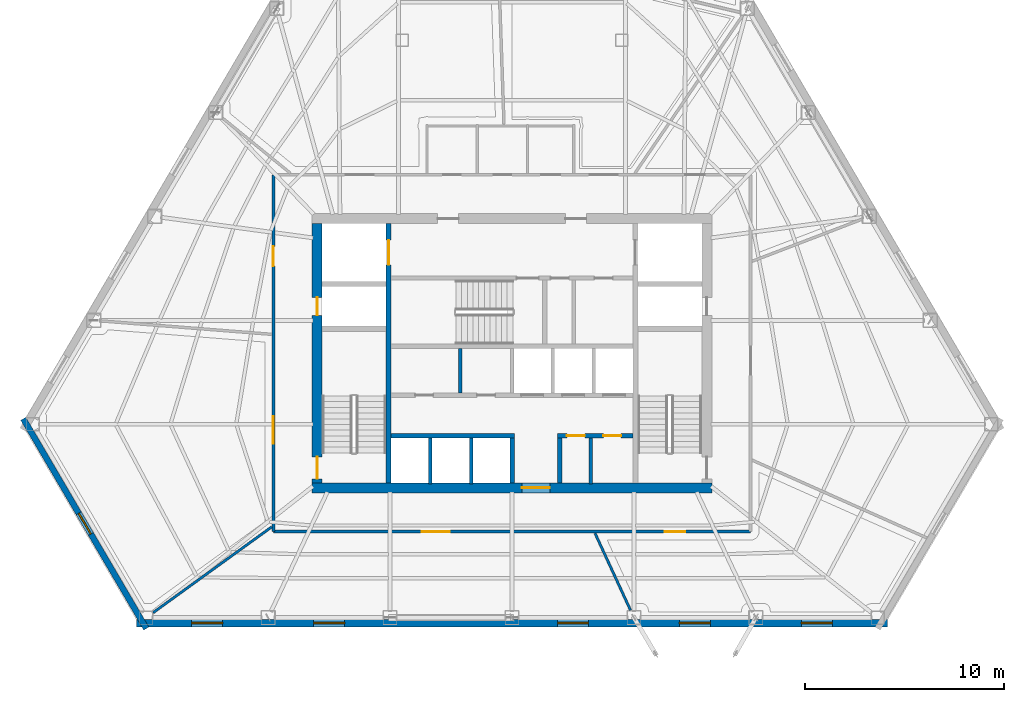
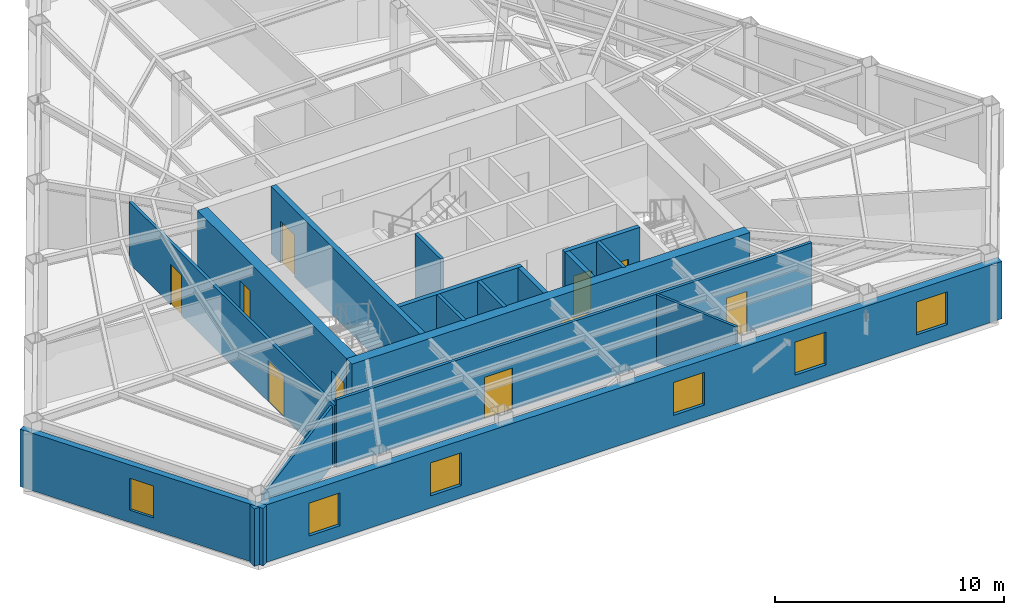
# One storey, part 8 of 13: 17 walls, 10 doors, 6 windows, 16 openings.
"""IFC4 building model written with IfcOpenShell, lengths in metres."""

from ifc_helpers import new_model, si_unit, direction, frame, frame_2d, origin, place, context, subcontext, project, spatial, rectangle, extrude, material, layer, layer_set, type_object, element, fill, save


model = new_model("IFC4")

# Units and contexts
model_context = context("Model", 3, precision=1e-05, world=origin(), true_north=direction((0.0, 1.0)))
body_context = subcontext(model_context, "Body", "Model", "MODEL_VIEW")
ifc_project = project(units=[si_unit("LENGTHUNIT", "METRE"), si_unit("AREAUNIT", "SQUARE_METRE"), si_unit("VOLUMEUNIT", "CUBIC_METRE"), si_unit("PLANEANGLEUNIT", "RADIAN"), si_unit("MASSUNIT", "GRAM", prefix="KILO")], contexts=[model_context])

# Site, building, storey
site_placement = place(None, origin())
site = spatial("IfcSite", under=ifc_project, at=site_placement, CompositionType="ELEMENT")
building_placement = place(site_placement, origin())
building = spatial("IfcBuilding", under=site, at=building_placement, Name="Kavelnor Concourse Tower", CompositionType="ELEMENT")
storey_placement = place(building_placement, frame((0.0, 0.0, 131.699951171875)))
storey = spatial("IfcBuildingStorey", under=building, at=storey_placement, Name="L33", CompositionType="ELEMENT", Elevation=131.699951171875)

# Wall, opening, door
ifc_material_1 = material(Name="Concrete C60/75", Category="concrete")
ifc_layer_1 = layer(ifc_material_1, 0.5, Name="Concrete C60/75")
ifc_layer_set_1 = layer_set([ifc_layer_1], Name="Concrete C60/75")
wall_type_1 = type_object("IfcWallType", Name="WL-CORE-Z2-500", PredefinedType="SOLIDWALL", material=ifc_layer_set_1)
wall_1_placement = place(storey_placement, frame((27.97998046875, 9.35009765625, 0.0), z_axis=(0.0, 0.0, 1.0), x_axis=(1.0, 0.0, 0.0)))
wall_1 = element("IfcWall", 1, at=wall_1_placement, inside=storey, type_object=wall_type_1, Name="L33 Central Core South Shear Wall", PredefinedType="SOLIDWALL", context=body_context, shape_type="SweptSolid", body=[
    extrude(rectangle(XDim=20.0400390625, YDim=0.5, at=frame_2d((10.02001953125, 0.0))), origin(), (0.0, 0.0, 1.0), 3.60009765625),
])
opening_1_placement = place(wall_1_placement, frame((10.52001953125, 0.0, 0.0)))
opening_1 = element("IfcOpeningElement", 2, at=opening_1_placement, cuts=wall_1, Name="Opening SD-140", PredefinedType="OPENING", context=body_context, shape_type="SweptSolid", body=[
    extrude(rectangle(XDim=1.39990234375, YDim=2.199951171875, at=frame_2d((0.699951171875, 1.10009765625))), frame((0.0, 0.260009765625, 0.0), z_axis=(0.0, -1.0, 0.0), x_axis=(1.0, 0.0, 0.0)), (0.0, 0.0, 1.0), 0.52001953125),
])
ifc_material_2 = material(Name="Solid-core hardwood timber", Category="wood")
door_type_1 = type_object("IfcDoorType", Name="DR-SUITE-ENTRY-1400", OperationType="NOTDEFINED", PredefinedType="DOOR", material=ifc_material_2)
door_1_placement = place(opening_1_placement, origin())
door_1 = element("IfcDoor", 3, at=door_1_placement, inside=storey, type_object=door_type_1, Name="L33 Passenger Lift Lobby Entry Door", OperationType="SINGLE_SWING_RIGHT", OverallHeight=2.199951171875, OverallWidth=1.39990234375, PredefinedType="DOOR", context=body_context, shape_type="SweptSolid", body=[
    extrude(rectangle(XDim=1.39990234375, YDim=2.199951171875, at=frame_2d((0.699951171875, 1.10009765625))), frame((0.0, 0.02490234375, 0.0), z_axis=(0.0, -1.0, 0.0), x_axis=(1.0, 0.0, 0.0)), (0.0, 0.0, 1.0), 0.050048828125),
])
fill(opening_1, door_1)

# Wall, openings, doors
wall_2_placement = place(storey_placement, frame((28.22998046875, 9.60009765625, 0.0), z_axis=(0.0, 0.0, 1.0), x_axis=(0.0, 1.0, 0.0)))
wall_2 = element("IfcWall", 4, at=wall_2_placement, inside=storey, type_object=wall_type_1, Name="L33 Central Core West Shear Wall", PredefinedType="SOLIDWALL", context=body_context, shape_type="SweptSolid", body=[
    extrude(rectangle(XDim=13.0, YDim=0.5, at=frame_2d((6.5, 0.0))), origin(), (0.0, 0.0, 1.0), 3.60009765625),
])
opening_2_placement = place(wall_2_placement, frame((0.199951171875, 0.0, 0.0)))
opening_2 = element("IfcOpeningElement", 5, at=opening_2_placement, cuts=wall_2, Name="Opening FD-110", PredefinedType="OPENING", context=body_context, shape_type="SweptSolid", body=[
    extrude(rectangle(XDim=1.10009765625, YDim=2.14990234375, at=frame_2d((0.550048828125, 1.074951171875))), frame((0.0, 0.260009765625, 0.0), z_axis=(0.0, -1.0, 0.0), x_axis=(1.0, 0.0, 0.0)), (0.0, 0.0, 1.0), 0.52001953125),
])
opening_3_placement = place(wall_2_placement, frame((8.39990234375, 0.0, 0.0)))
opening_3 = element("IfcOpeningElement", 6, at=opening_3_placement, cuts=wall_2, Name="Opening FD-090", PredefinedType="OPENING", context=body_context, shape_type="SweptSolid", body=[
    extrude(rectangle(XDim=0.89990234375, YDim=2.10009765625, at=frame_2d((0.449951171875, 1.050048828125))), frame((0.0, 0.260009765625, 0.0), z_axis=(0.0, -1.0, 0.0), x_axis=(1.0, 0.0, 0.0)), (0.0, 0.0, 1.0), 0.52001953125),
])
ifc_material_3 = material(Name="Steel Grade 350", Category="steel")
door_type_2 = type_object("IfcDoorType", Name="DR-RISER-FIRE-900", OperationType="NOTDEFINED", PredefinedType="DOOR", material=ifc_material_3)
door_2_placement = place(opening_3_placement, origin())
door_2 = element("IfcDoor", 7, at=door_2_placement, inside=storey, type_object=door_type_2, Name="L33 West Riser Access Door", OperationType="SINGLE_SWING_RIGHT", OverallHeight=2.10009765625, OverallWidth=0.89990234375, PredefinedType="DOOR", context=body_context, shape_type="SweptSolid", body=[
    extrude(rectangle(XDim=0.89990234375, YDim=2.10009765625, at=frame_2d((0.449951171875, 1.050048828125))), frame((0.0, 0.02490234375, 0.0), z_axis=(0.0, -1.0, 0.0), x_axis=(1.0, 0.0, 0.0)), (0.0, 0.0, 1.0), 0.050048828125),
])
fill(opening_3, door_2)
door_type_3 = type_object("IfcDoorType", Name="DR-STAIR-FIRE-1100", OperationType="NOTDEFINED", PredefinedType="DOOR", material=ifc_material_3)
door_3_placement = place(opening_2_placement, origin())
door_3 = element("IfcDoor", 8, at=door_3_placement, inside=storey, type_object=door_type_3, Name="L33 Stair ST1 Fire Door", OperationType="SINGLE_SWING_LEFT", OverallHeight=2.14990234375, OverallWidth=1.10009765625, PredefinedType="DOOR", context=body_context, shape_type="SweptSolid", body=[
    extrude(rectangle(XDim=1.10009765625, YDim=2.14990234375, at=frame_2d((0.550048828125, 1.074951171875))), frame((0.0, 0.02490234375, 0.0), z_axis=(0.0, -1.0, 0.0), x_axis=(1.0, 0.0, 0.0)), (0.0, 0.0, 1.0), 0.050048828125),
])
fill(opening_2, door_3)

# Wall, opening, window
ifc_material_4 = material(Name="Buff ironspot clay face brick masonry", Category="masonry")
ifc_layer_2 = layer(ifc_material_4, 0.300048828125, Name="Buff ironspot clay face brick masonry")
ifc_layer_set_2 = layer_set([ifc_layer_2], Name="Buff ironspot clay face brick masonry")
wall_type_2 = type_object("IfcWallType", Name="WL-EXT-BUFF-BRICK-FOLD-300", PredefinedType="STANDARD", material=ifc_layer_set_2)
wall_3_placement = place(storey_placement, frame((19.65625, 2.28759765625, 0.0), z_axis=(0.0, 0.0, 1.0), x_axis=(-0.505835558362, 0.862629925227, 0.0)))
wall_3 = element("IfcWall", 9, at=wall_3_placement, inside=storey, type_object=wall_type_2, Name="L33 Exterior Brick Facade Wall E2", PredefinedType="STANDARD", context=body_context, shape_type="SweptSolid", body=[
    extrude(rectangle(XDim=12.200439453125, YDim=0.300048828125, at=frame_2d((6.10009765625, 0.0))), origin(), (0.0, 0.0, 1.0), 3.05908203125),
])
opening_4_placement = place(wall_3_placement, frame((5.500244140625, 0.0, 0.64990234375)))
opening_4 = element("IfcOpeningElement", 10, at=opening_4_placement, cuts=wall_3, Name="Opening W-05", PredefinedType="OPENING", context=body_context, shape_type="SweptSolid", body=[
    extrude(rectangle(XDim=1.199951171875, YDim=1.699951171875, at=frame_2d((0.60009765625, 0.85009765625))), frame((0.0, 0.16015625, 0.0), z_axis=(0.0, -1.0, 0.0), x_axis=(1.0, 0.0, 0.0)), (0.0, 0.0, 1.0), 0.320068359375),
])
ifc_material_5 = material(Name="Double low-E argon insulated glazing", Category="glass")
window_type_1 = type_object("IfcWindowType", Name="WIN-FOLD-1200", PartitioningType="SINGLE_PANEL", PredefinedType="WINDOW", material=ifc_material_5)
window_1_placement = place(opening_4_placement, origin())
window_1 = element("IfcWindow", 11, at=window_1_placement, inside=storey, type_object=window_type_1, Name="L33 Chamfer-Fold Facet Window C1", OverallHeight=1.699951171875, OverallWidth=1.199951171875, PartitioningType="SINGLE_PANEL", PredefinedType="WINDOW", context=body_context, shape_type="SweptSolid", body=[
    extrude(rectangle(XDim=1.199951171875, YDim=1.699951171875, at=frame_2d((0.60009765625, 0.85009765625))), frame((0.0, 0.030029296875, 0.0), z_axis=(0.0, -1.0, 0.0), x_axis=(1.0, 0.0, 0.0)), (0.0, 0.0, 1.0), 0.06005859375),
])
fill(opening_4, window_1)

# Wall, openings, windows
ifc_material_6 = material(Name="Red-ochre clay face brick masonry", Category="masonry")
ifc_layer_3 = layer(ifc_material_6, 0.3798828125, Name="Red-ochre clay face brick masonry")
ifc_layer_set_3 = layer_set([ifc_layer_3], Name="Red-ochre clay face brick masonry")
wall_type_3 = type_object("IfcWallType", Name="WL-EXT-RED-BRICK-PIER-380", PredefinedType="STANDARD", material=ifc_layer_set_3)
wall_4_placement = place(storey_placement, frame((56.826171875, 2.563720703125, 0.0), z_axis=(0.0, 0.0, 1.0), x_axis=(-1.0, 0.0, 0.0)))
wall_4 = element("IfcWall", 12, at=wall_4_placement, inside=storey, type_object=wall_type_3, Name="L33 Exterior Brick Facade Wall E3", PredefinedType="STANDARD", context=body_context, shape_type="SweptSolid", body=[
    extrude(rectangle(XDim=37.65234375, YDim=0.3798828125, at=frame_2d((18.826171875, 0.0))), origin(), (0.0, 0.0, 1.0), 3.05908203125),
])
opening_5_placement = place(wall_4_placement, frame((33.34375, 0.0, 0.64990234375)))
opening_5 = element("IfcOpeningElement", 13, at=opening_5_placement, cuts=wall_4, Name="Opening W-02", PredefinedType="OPENING", context=body_context, shape_type="SweptSolid", body=[
    extrude(rectangle(XDim=1.550048828125, YDim=1.75, at=frame_2d((0.77490234375, 0.875))), frame((0.0, 0.199951171875, 0.0), z_axis=(0.0, -1.0, 0.0), x_axis=(1.0, 0.0, 0.0)), (0.0, 0.0, 1.0), 0.39990234375),
])
opening_6_placement = place(wall_4_placement, frame((27.2265625, 0.0, 0.64990234375)))
opening_6 = element("IfcOpeningElement", 14, at=opening_6_placement, cuts=wall_4, Name="Opening W-02", PredefinedType="OPENING", context=body_context, shape_type="SweptSolid", body=[
    extrude(rectangle(XDim=1.550048828125, YDim=1.75, at=frame_2d((0.77490234375, 0.875))), frame((0.0, 0.199951171875, 0.0), z_axis=(0.0, -1.0, 0.0), x_axis=(1.0, 0.0, 0.0)), (0.0, 0.0, 1.0), 0.39990234375),
])
opening_7_placement = place(wall_4_placement, frame((14.99267578125, 0.0, 0.64990234375)))
opening_7 = element("IfcOpeningElement", 15, at=opening_7_placement, cuts=wall_4, Name="Opening W-02", PredefinedType="OPENING", context=body_context, shape_type="SweptSolid", body=[
    extrude(rectangle(XDim=1.550048828125, YDim=1.75, at=frame_2d((0.77490234375, 0.875))), frame((0.0, 0.199951171875, 0.0), z_axis=(0.0, -1.0, 0.0), x_axis=(1.0, 0.0, 0.0)), (0.0, 0.0, 1.0), 0.39990234375),
])
opening_8_placement = place(wall_4_placement, frame((8.87548828125, 0.0, 0.64990234375)))
opening_8 = element("IfcOpeningElement", 16, at=opening_8_placement, cuts=wall_4, Name="Opening W-02", PredefinedType="OPENING", context=body_context, shape_type="SweptSolid", body=[
    extrude(rectangle(XDim=1.550048828125, YDim=1.75, at=frame_2d((0.77490234375, 0.875))), frame((0.0, 0.199951171875, 0.0), z_axis=(0.0, -1.0, 0.0), x_axis=(1.0, 0.0, 0.0)), (0.0, 0.0, 1.0), 0.39990234375),
])
opening_9_placement = place(wall_4_placement, frame((2.758544921875, 0.0, 0.64990234375)))
opening_9 = element("IfcOpeningElement", 17, at=opening_9_placement, cuts=wall_4, Name="Opening W-02", PredefinedType="OPENING", context=body_context, shape_type="SweptSolid", body=[
    extrude(rectangle(XDim=1.550048828125, YDim=1.75, at=frame_2d((0.77490234375, 0.875))), frame((0.0, 0.199951171875, 0.0), z_axis=(0.0, -1.0, 0.0), x_axis=(1.0, 0.0, 0.0)), (0.0, 0.0, 1.0), 0.39990234375),
])
window_type_2 = type_object("IfcWindowType", Name="WIN-PIER-Z2-1650", PartitioningType="SINGLE_PANEL", PredefinedType="WINDOW", material=ifc_material_5)
window_2_placement = place(opening_5_placement, origin())
window_2 = element("IfcWindow", 18, at=window_2_placement, inside=storey, type_object=window_type_2, Name="L33 Deep-Set Brick Pier Window F1-B0", OverallHeight=1.75, OverallWidth=1.550048828125, PartitioningType="SINGLE_PANEL", PredefinedType="WINDOW", context=body_context, shape_type="SweptSolid", body=[
    extrude(rectangle(XDim=1.550048828125, YDim=1.75, at=frame_2d((0.77490234375, 0.875))), frame((0.0, 0.030029296875, 0.0), z_axis=(0.0, -1.0, 0.0), x_axis=(1.0, 0.0, 0.0)), (0.0, 0.0, 1.0), 0.06005859375),
])
fill(opening_5, window_2)
window_3_placement = place(opening_6_placement, origin())
window_3 = element("IfcWindow", 19, at=window_3_placement, inside=storey, type_object=window_type_2, Name="L33 Deep-Set Brick Pier Window F1-B1", OverallHeight=1.75, OverallWidth=1.550048828125, PartitioningType="SINGLE_PANEL", PredefinedType="WINDOW", context=body_context, shape_type="SweptSolid", body=[
    extrude(rectangle(XDim=1.550048828125, YDim=1.75, at=frame_2d((0.77490234375, 0.875))), frame((0.0, 0.030029296875, 0.0), z_axis=(0.0, -1.0, 0.0), x_axis=(1.0, 0.0, 0.0)), (0.0, 0.0, 1.0), 0.06005859375),
])
fill(opening_6, window_3)
window_4_placement = place(opening_7_placement, origin())
window_4 = element("IfcWindow", 20, at=window_4_placement, inside=storey, type_object=window_type_2, Name="L33 Deep-Set Brick Pier Window F1-B3", OverallHeight=1.75, OverallWidth=1.550048828125, PartitioningType="SINGLE_PANEL", PredefinedType="WINDOW", context=body_context, shape_type="SweptSolid", body=[
    extrude(rectangle(XDim=1.550048828125, YDim=1.75, at=frame_2d((0.77490234375, 0.875))), frame((0.0, 0.030029296875, 0.0), z_axis=(0.0, -1.0, 0.0), x_axis=(1.0, 0.0, 0.0)), (0.0, 0.0, 1.0), 0.06005859375),
])
fill(opening_7, window_4)
window_5_placement = place(opening_8_placement, origin())
window_5 = element("IfcWindow", 21, at=window_5_placement, inside=storey, type_object=window_type_2, Name="L33 Deep-Set Brick Pier Window F1-B4", OverallHeight=1.75, OverallWidth=1.550048828125, PartitioningType="SINGLE_PANEL", PredefinedType="WINDOW", context=body_context, shape_type="SweptSolid", body=[
    extrude(rectangle(XDim=1.550048828125, YDim=1.75, at=frame_2d((0.77490234375, 0.875))), frame((0.0, 0.030029296875, 0.0), z_axis=(0.0, -1.0, 0.0), x_axis=(1.0, 0.0, 0.0)), (0.0, 0.0, 1.0), 0.06005859375),
])
fill(opening_8, window_5)
window_6_placement = place(opening_9_placement, origin())
window_6 = element("IfcWindow", 22, at=window_6_placement, inside=storey, type_object=window_type_2, Name="L33 Deep-Set Brick Pier Window F1-B5", OverallHeight=1.75, OverallWidth=1.550048828125, PartitioningType="SINGLE_PANEL", PredefinedType="WINDOW", context=body_context, shape_type="SweptSolid", body=[
    extrude(rectangle(XDim=1.550048828125, YDim=1.75, at=frame_2d((0.77490234375, 0.875))), frame((0.0, 0.030029296875, 0.0), z_axis=(0.0, -1.0, 0.0), x_axis=(1.0, 0.0, 0.0)), (0.0, 0.0, 1.0), 0.06005859375),
])
fill(opening_9, window_6)

# Wall, openings, doors
ifc_material_7 = material(Name="Gypsum plasterboard on light-gauge steel studs", Category="steel")
ifc_layer_4 = layer(ifc_material_7, 0.14501953125, Name="Gypsum plasterboard on light-gauge steel studs")
ifc_layer_set_4 = layer_set([ifc_layer_4], Name="Gypsum plasterboard on light-gauge steel studs")
wall_type_4 = type_object("IfcWallType", Name="WL-INT-CORR-145", PredefinedType="PARTITIONING", material=ifc_layer_set_4)
wall_5_placement = place(storey_placement, frame((26.030029296875, 25.050048828125, 0.0), z_axis=(0.0, 0.0, 1.0), x_axis=(0.0, -1.0, 0.0)))
wall_5 = element("IfcWall", 23, at=wall_5_placement, inside=storey, type_object=wall_type_4, Name="L33 Corridor Wall WL-L33-CR-03", PredefinedType="PARTITIONING", context=body_context, shape_type="SweptSolid", body=[
    extrude(rectangle(XDim=17.900146484375, YDim=0.14501953125, at=frame_2d((8.9501953125, 0.0))), origin(), (0.0, 0.0, 1.0), 3.2880859375),
])
opening_10_placement = place(wall_5_placement, frame((3.597412109375, 0.0, 0.0)))
opening_10 = element("IfcOpeningElement", 24, at=opening_10_placement, cuts=wall_5, Name="Opening OD-098", PredefinedType="OPENING", context=body_context, shape_type="SweptSolid", body=[
    extrude(rectangle(XDim=0.97998046875, YDim=2.14990234375, at=frame_2d((0.489990234375, 1.074951171875))), frame((0.0, 0.08251953125, 0.0), z_axis=(0.0, -1.0, 0.0), x_axis=(1.0, 0.0, 0.0)), (0.0, 0.0, 1.0), 0.1650390625),
])
opening_11_placement = place(wall_5_placement, frame((12.102783203125, 0.0, 0.0)))
opening_11 = element("IfcOpeningElement", 25, at=opening_11_placement, cuts=wall_5, Name="Opening SD-140", PredefinedType="OPENING", context=body_context, shape_type="SweptSolid", body=[
    extrude(rectangle(XDim=1.39990234375, YDim=2.199951171875, at=frame_2d((0.699951171875, 1.10009765625))), frame((0.0, 0.08251953125, 0.0), z_axis=(0.0, -1.0, 0.0), x_axis=(1.0, 0.0, 0.0)), (0.0, 0.0, 1.0), 0.1650390625),
])
door_type_4 = type_object("IfcDoorType", Name="DR-OFFICE-980", OperationType="NOTDEFINED", PredefinedType="DOOR", material=ifc_material_2)
door_4_placement = place(opening_10_placement, origin())
door_4 = element("IfcDoor", 26, at=door_4_placement, inside=storey, type_object=door_type_4, Name="L33 Executive Servery Pantry 05 Door", OperationType="SINGLE_SWING_LEFT", OverallHeight=2.14990234375, OverallWidth=0.97998046875, PredefinedType="DOOR", context=body_context, shape_type="SweptSolid", body=[
    extrude(rectangle(XDim=0.97998046875, YDim=2.14990234375, at=frame_2d((0.489990234375, 1.074951171875))), frame((0.0, 0.02490234375, 0.0), z_axis=(0.0, -1.0, 0.0), x_axis=(1.0, 0.0, 0.0)), (0.0, 0.0, 1.0), 0.050048828125),
])
fill(opening_10, door_4)
door_5_placement = place(opening_11_placement, origin())
door_5 = element("IfcDoor", 27, at=door_5_placement, inside=storey, type_object=door_type_1, Name="L33 Executive Dining Room 06 Door", OperationType="SINGLE_SWING_RIGHT", OverallHeight=2.199951171875, OverallWidth=1.39990234375, PredefinedType="DOOR", context=body_context, shape_type="SweptSolid", body=[
    extrude(rectangle(XDim=1.39990234375, YDim=2.199951171875, at=frame_2d((0.699951171875, 1.10009765625))), frame((0.0, 0.02490234375, 0.0), z_axis=(0.0, -1.0, 0.0), x_axis=(1.0, 0.0, 0.0)), (0.0, 0.0, 1.0), 0.050048828125),
])
fill(opening_11, door_5)

wall_6_placement = place(storey_placement, frame((26.030029296875, 7.14990234375, 0.0), z_axis=(0.0, 0.0, 1.0), x_axis=(1.0, 0.0, 0.0)))
wall_6 = element("IfcWall", 28, at=wall_6_placement, inside=storey, type_object=wall_type_4, Name="L33 Corridor Wall WL-L33-CR-04", PredefinedType="PARTITIONING", context=body_context, shape_type="SweptSolid", body=[
    extrude(rectangle(XDim=23.93994140625, YDim=0.14501953125, at=frame_2d((11.969970703125, 0.0))), origin(), (0.0, 0.0, 1.0), 3.60009765625),
])
opening_12_placement = place(wall_6_placement, frame((7.451904296875, 0.0, 0.0)))
opening_12 = element("IfcOpeningElement", 29, at=opening_12_placement, cuts=wall_6, Name="Opening SD-140", PredefinedType="OPENING", context=body_context, shape_type="SweptSolid", body=[
    extrude(rectangle(XDim=1.39990234375, YDim=2.199951171875, at=frame_2d((0.699951171875, 1.10009765625))), frame((0.0, 0.08251953125, 0.0), z_axis=(0.0, -1.0, 0.0), x_axis=(1.0, 0.0, 0.0)), (0.0, 0.0, 1.0), 0.1650390625),
])
opening_13_placement = place(wall_6_placement, frame((19.641845703125, 0.0, 0.0)))
opening_13 = element("IfcOpeningElement", 30, at=opening_13_placement, cuts=wall_6, Name="Opening MD-102", PredefinedType="OPENING", context=body_context, shape_type="SweptSolid", body=[
    extrude(rectangle(XDim=1.02001953125, YDim=2.14990234375, at=frame_2d((0.510009765625, 1.074951171875))), frame((0.0, 0.08251953125, 0.0), z_axis=(0.0, -1.0, 0.0), x_axis=(1.0, 0.0, 0.0)), (0.0, 0.0, 1.0), 0.1650390625),
])
ifc_material_8 = material(Name="Acoustic glazed timber frame", Category="wood")
door_type_5 = type_object("IfcDoorType", Name="DR-MEETING-1020", OperationType="NOTDEFINED", PredefinedType="DOOR", material=ifc_material_8)
door_6_placement = place(opening_13_placement, origin())
door_6 = element("IfcDoor", 31, at=door_6_placement, inside=storey, type_object=door_type_5, Name="L33 Client Boardroom 08 Door", OperationType="SINGLE_SWING_RIGHT", OverallHeight=2.14990234375, OverallWidth=1.02001953125, PredefinedType="DOOR", context=body_context, shape_type="SweptSolid", body=[
    extrude(rectangle(XDim=1.02001953125, YDim=2.14990234375, at=frame_2d((0.510009765625, 1.074951171875))), frame((0.0, 0.02490234375, 0.0), z_axis=(0.0, -1.0, 0.0), x_axis=(1.0, 0.0, 0.0)), (0.0, 0.0, 1.0), 0.050048828125),
])
fill(opening_13, door_6)
door_7_placement = place(opening_12_placement, origin())
door_7 = element("IfcDoor", 32, at=door_7_placement, inside=storey, type_object=door_type_1, Name="L33 Workplace Open Office 07 Door", OperationType="SINGLE_SWING_LEFT", OverallHeight=2.199951171875, OverallWidth=1.39990234375, PredefinedType="DOOR", context=body_context, shape_type="SweptSolid", body=[
    extrude(rectangle(XDim=1.39990234375, YDim=2.199951171875, at=frame_2d((0.699951171875, 1.10009765625))), frame((0.0, 0.02490234375, 0.0), z_axis=(0.0, -1.0, 0.0), x_axis=(1.0, 0.0, 0.0)), (0.0, 0.0, 1.0), 0.050048828125),
])
fill(opening_12, door_7)

# Walls
ifc_layer_5 = layer(ifc_material_7, 0.1650390625, Name="Gypsum plasterboard on light-gauge steel studs")
ifc_layer_set_5 = layer_set([ifc_layer_5], Name="Gypsum plasterboard on light-gauge steel studs")
wall_type_5 = type_object("IfcWallType", Name="WL-INT-FIRE-165", PredefinedType="PARTITIONING", material=ifc_layer_set_5)
for number, where, z_axis, x_axis, name in (
    (33, (33.89990234375, 9.550048828125, 0.0), (0.0, 0.0, 1.0), (0.0, 1.0, 0.0), "L33 Lift Shaft Divider LP7"),
    (34, (35.949951171875, 9.550048828125, 0.0), (0.0, 0.0, 1.0), (0.0, 1.0, 0.0), "L33 Lift Shaft Divider LP8"),
):
    element("IfcWall", number, at=place(storey_placement, frame(where, z_axis=z_axis, x_axis=x_axis)), inside=storey, type_object=wall_type_5, Name=name, PredefinedType="PARTITIONING", context=body_context, shape_type="SweptSolid", body=[
        extrude(rectangle(XDim=2.2900390625, YDim=0.1650390625, at=frame_2d((1.14501953125, 0.0))), origin(), (0.0, 0.0, 1.0), 3.60009765625),
    ])
wall_7_placement = place(storey_placement, frame((35.39990234375, 14.10009765625, 0.0), z_axis=(0.0, 0.0, 1.0), x_axis=(0.0, 1.0, 0.0)))
element("IfcWall", 35, at=wall_7_placement, inside=storey, type_object=wall_type_5, Name="L33 Reclaimed Core Split Wall", PredefinedType="PARTITIONING", context=body_context, shape_type="SweptSolid", body=[
    extrude(rectangle(XDim=2.239990234375, YDim=0.1650390625, at=frame_2d((1.1201171875, 0.0))), origin(), (0.0, 0.0, 1.0), 3.60009765625),
])
wall_8_placement = place(storey_placement, frame((41.949951171875, 9.550048828125, 0.0), z_axis=(0.0, 0.0, 1.0), x_axis=(0.0, 1.0, 0.0)))
element("IfcWall", 36, at=wall_8_placement, inside=storey, type_object=wall_type_5, Name="L33 Core WC Partition", PredefinedType="PARTITIONING", context=body_context, shape_type="SweptSolid", body=[
    extrude(rectangle(XDim=2.2900390625, YDim=0.1650390625, at=frame_2d((1.14501953125, 0.0))), origin(), (0.0, 0.0, 1.0), 3.60009765625),
])
ifc_layer_6 = layer(ifc_material_7, 0.125, Name="Gypsum plasterboard on light-gauge steel studs")
ifc_layer_set_6 = layer_set([ifc_layer_6], Name="Gypsum plasterboard on light-gauge steel studs")
wall_type_6 = type_object("IfcWallType", Name="WL-INT-SUITE-125", PredefinedType="PARTITIONING", material=ifc_layer_set_6)
wall_9_placement = place(storey_placement, frame((25.949462890625, 7.388671875, 0.0), z_axis=(0.0, 0.0, 1.0), x_axis=(-0.810414453305, -0.585856990975, 0.0)))
element("IfcWall", 37, at=wall_9_placement, inside=storey, type_object=wall_type_6, Name="L33 Radial Suite Partition 06", PredefinedType="PARTITIONING", context=body_context, shape_type="SweptSolid", body=[
    extrude(rectangle(XDim=7.34521484375, YDim=0.125, at=frame_2d((3.672607421875, 0.0))), origin(), (0.0, 0.0, 1.0), 3.14111328125),
])
wall_10_placement = place(storey_placement, frame((42.163818359375, 7.069580078125, 0.0), z_axis=(0.0, 0.0, 1.0), x_axis=(0.418741898832, -0.908105292443, 0.0)))
element("IfcWall", 38, at=wall_10_placement, inside=storey, type_object=wall_type_6, Name="L33 Radial Suite Partition 07", PredefinedType="PARTITIONING", context=body_context, shape_type="SweptSolid", body=[
    extrude(rectangle(XDim=4.259033203125, YDim=0.125, at=frame_2d((2.12939453125, 0.0))), origin(), (0.0, 0.0, 1.0), 3.60009765625),
])
ifc_material_9 = material(Name="Concrete C50/60", Category="concrete")
ifc_layer_7 = layer(ifc_material_9, 0.219970703125, Name="Concrete C50/60")
ifc_layer_set_7 = layer_set([ifc_layer_7], Name="Concrete C50/60")
wall_type_7 = type_object("IfcWallType", Name="WL-SHAFT-220", PredefinedType="SOLIDWALL", material=ifc_layer_set_7)
wall_11_placement = place(storey_placement, frame((31.93994140625, 11.949951171875, 0.0), z_axis=(0.0, 0.0, 1.0), x_axis=(1.0, 0.0, 0.0)))
element("IfcWall", 39, at=wall_11_placement, inside=storey, type_object=wall_type_7, Name="L33 High-Rise Lift Bank North Wall", PredefinedType="SOLIDWALL", context=body_context, shape_type="SweptSolid", body=[
    extrude(rectangle(XDim=6.18994140625, YDim=0.219970703125, at=frame_2d((3.094970703125, 0.0))), origin(), (0.0, 0.0, 1.0), 3.60009765625),
])

# Wall, openings, doors
wall_12_placement = place(storey_placement, frame((40.280029296875, 11.949951171875, 0.0), z_axis=(0.0, 0.0, 1.0), x_axis=(1.0, 0.0, 0.0)))
wall_12 = element("IfcWall", 40, at=wall_12_placement, inside=storey, type_object=wall_type_7, Name="L33 Core South Support North Wall", PredefinedType="SOLIDWALL", context=body_context, shape_type="SweptSolid", body=[
    extrude(rectangle(XDim=3.780029296875, YDim=0.219970703125, at=frame_2d((1.89013671875, 0.0))), origin(), (0.0, 0.0, 1.0), 3.60009765625),
])
opening_14_placement = place(wall_12_placement, frame((0.469970703125, 0.0, 0.0)))
opening_14 = element("IfcOpeningElement", 41, at=opening_14_placement, cuts=wall_12, Name="Opening FD-090", PredefinedType="OPENING", context=body_context, shape_type="SweptSolid", body=[
    extrude(rectangle(XDim=0.89990234375, YDim=2.10009765625, at=frame_2d((0.449951171875, 1.050048828125))), frame((0.0, 0.1201171875, 0.0), z_axis=(0.0, -1.0, 0.0), x_axis=(1.0, 0.0, 0.0)), (0.0, 0.0, 1.0), 0.239990234375),
])
opening_15_placement = place(wall_12_placement, frame((2.300048828125, 0.0, 0.0)))
opening_15 = element("IfcOpeningElement", 42, at=opening_15_placement, cuts=wall_12, Name="Opening FD-090", PredefinedType="OPENING", context=body_context, shape_type="SweptSolid", body=[
    extrude(rectangle(XDim=0.89990234375, YDim=2.10009765625, at=frame_2d((0.449951171875, 1.050048828125))), frame((0.0, 0.1201171875, 0.0), z_axis=(0.0, -1.0, 0.0), x_axis=(1.0, 0.0, 0.0)), (0.0, 0.0, 1.0), 0.239990234375),
])
door_8_placement = place(opening_14_placement, origin())
door_8 = element("IfcDoor", 43, at=door_8_placement, inside=storey, type_object=door_type_2, Name="L33 Staff WC Door", OperationType="SINGLE_SWING_LEFT", OverallHeight=2.10009765625, OverallWidth=0.89990234375, PredefinedType="DOOR", context=body_context, shape_type="SweptSolid", body=[
    extrude(rectangle(XDim=0.89990234375, YDim=2.10009765625, at=frame_2d((0.449951171875, 1.050048828125))), frame((0.0, 0.02490234375, 0.0), z_axis=(0.0, -1.0, 0.0), x_axis=(1.0, 0.0, 0.0)), (0.0, 0.0, 1.0), 0.050048828125),
])
fill(opening_14, door_8)
door_9_placement = place(opening_15_placement, origin())
door_9 = element("IfcDoor", 44, at=door_9_placement, inside=storey, type_object=door_type_2, Name="L33 Core Comms Door", OperationType="SINGLE_SWING_RIGHT", OverallHeight=2.10009765625, OverallWidth=0.89990234375, PredefinedType="DOOR", context=body_context, shape_type="SweptSolid", body=[
    extrude(rectangle(XDim=0.89990234375, YDim=2.10009765625, at=frame_2d((0.449951171875, 1.050048828125))), frame((0.0, 0.02490234375, 0.0), z_axis=(0.0, -1.0, 0.0), x_axis=(1.0, 0.0, 0.0)), (0.0, 0.0, 1.0), 0.050048828125),
])
fill(opening_15, door_9)

# Walls
for number, where, z_axis, x_axis, name in (
    (45, (38.02001953125, 9.60009765625, 0.0), (0.0, 0.0, 1.0), (0.0, 1.0, 0.0), "L33 Lift Lobby Throat West Wall"),
    (46, (40.389892578125, 9.60009765625, 0.0), (0.0, 0.0, 1.0), (0.0, 1.0, 0.0), "L33 Lift Lobby Throat East Wall"),
):
    element("IfcWall", number, at=place(storey_placement, frame(where, z_axis=z_axis, x_axis=x_axis)), inside=storey, type_object=wall_type_7, Name=name, PredefinedType="SOLIDWALL", context=body_context, shape_type="SweptSolid", body=[
        extrude(rectangle(XDim=2.239990234375, YDim=0.219970703125, at=frame_2d((1.1201171875, 0.0))), origin(), (0.0, 0.0, 1.0), 3.60009765625),
    ])

# Wall, opening, door
ifc_layer_8 = layer(ifc_material_9, 0.260009765625, Name="Concrete C50/60")
ifc_layer_set_8 = layer_set([ifc_layer_8], Name="Concrete C50/60")
wall_type_8 = type_object("IfcWallType", Name="WL-SHAFT-260", PredefinedType="SHEAR", material=ifc_layer_set_8)
wall_13_placement = place(storey_placement, frame((31.81005859375, 9.60009765625, 0.0), z_axis=(0.0, 0.0, 1.0), x_axis=(0.0, 1.0, 0.0)))
wall_13 = element("IfcWall", 47, at=wall_13_placement, inside=storey, type_object=wall_type_8, Name="L33 Core West Wing Shear Wall", PredefinedType="SHEAR", context=body_context, shape_type="SweptSolid", body=[
    extrude(rectangle(XDim=13.0, YDim=0.260009765625, at=frame_2d((6.5, 0.0))), origin(), (0.0, 0.0, 1.0), 3.60009765625),
])
opening_16_placement = place(wall_13_placement, frame((10.925048828125, 0.0, 0.0)))
opening_16 = element("IfcOpeningElement", 48, at=opening_16_placement, cuts=wall_13, Name="Opening LD-125", PredefinedType="OPENING", context=body_context, shape_type="SweptSolid", body=[
    extrude(rectangle(XDim=1.25, YDim=2.25, at=frame_2d((0.625, 1.125))), frame((0.0, 0.14013671875, 0.0), z_axis=(0.0, -1.0, 0.0), x_axis=(1.0, 0.0, 0.0)), (0.0, 0.0, 1.0), 0.280029296875),
])
door_type_6 = type_object("IfcDoorType", Name="DR-LIFT-SLIDING-1250", OperationType="NOTDEFINED", PredefinedType="DOOR", material=ifc_material_3)
door_10_placement = place(opening_16_placement, origin())
door_10 = element("IfcDoor", 49, at=door_10_placement, inside=storey, type_object=door_type_6, Name="L33 Emergency Lift FL1 Landing Door", OperationType="DOUBLE_DOOR_SLIDING", OverallHeight=2.25, OverallWidth=1.25, PredefinedType="DOOR", context=body_context, shape_type="SweptSolid", body=[
    extrude(rectangle(XDim=1.25, YDim=2.25, at=frame_2d((0.625, 1.125))), frame((0.0, 0.02490234375, 0.0), z_axis=(0.0, -1.0, 0.0), x_axis=(1.0, 0.0, 0.0)), (0.0, 0.0, 1.0), 0.050048828125),
])
fill(opening_16, door_10)

save(model, "model.ifc")
